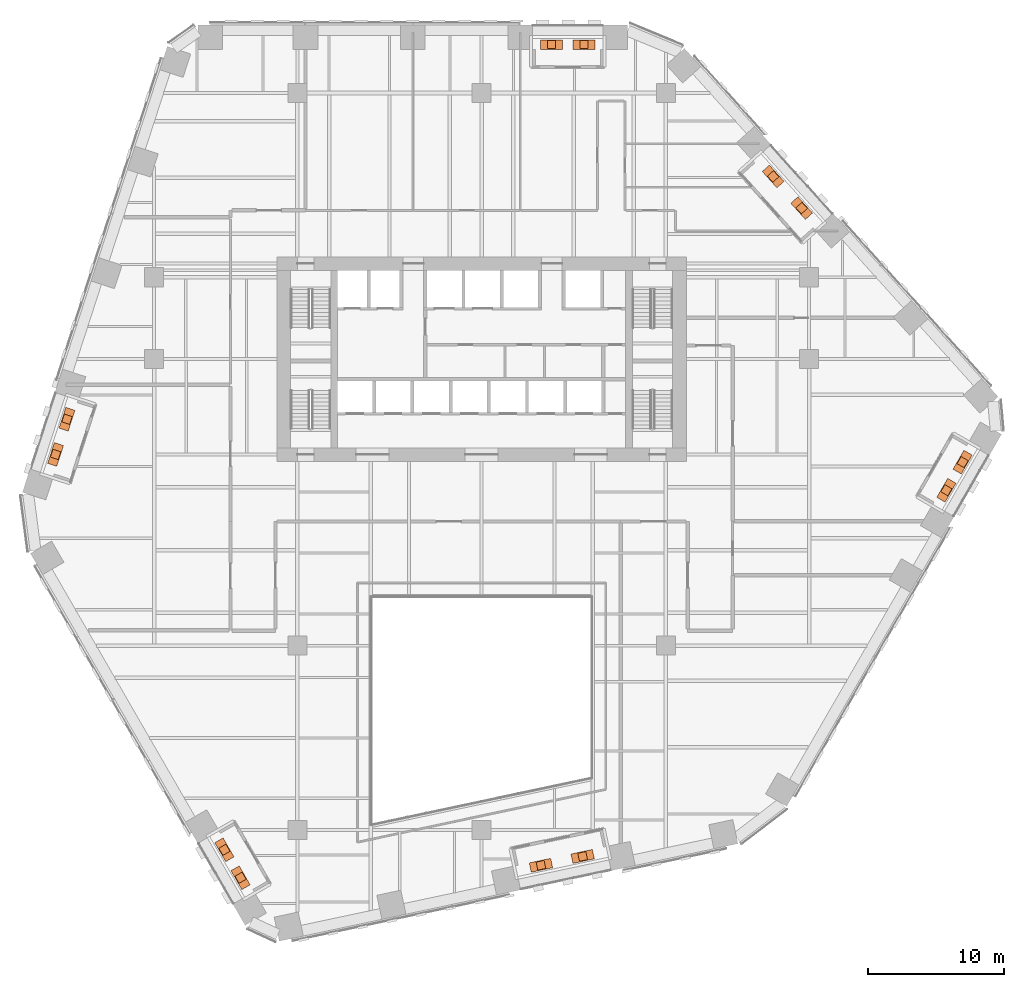
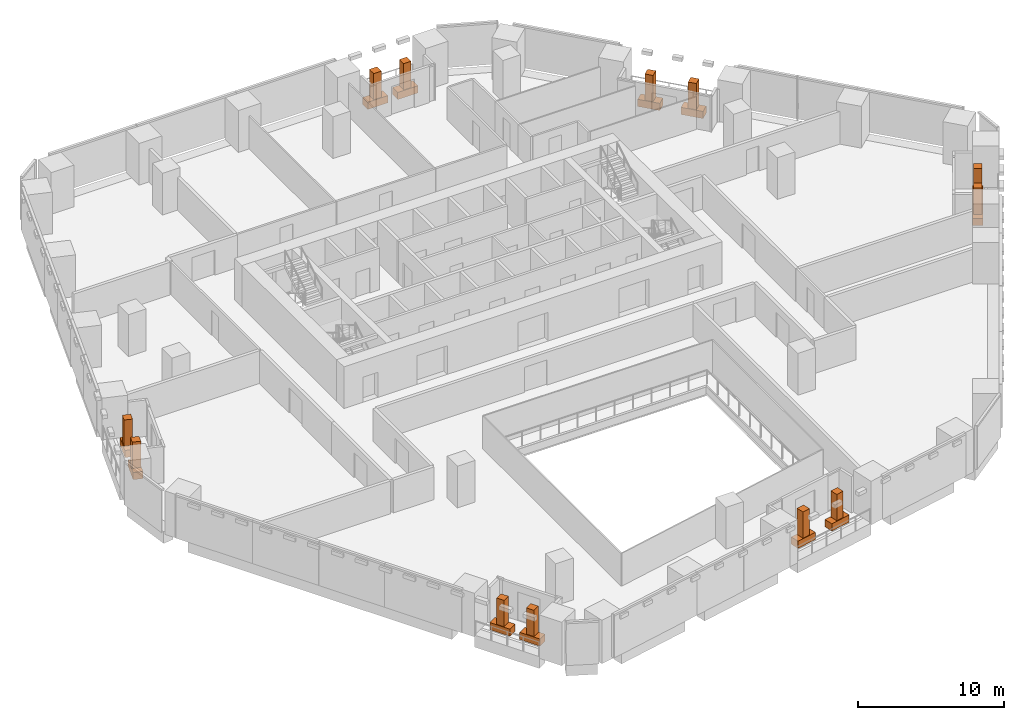
# One storey, part 31 of 31: 12 geographic elements, 12 proxies.
"""IFC4 building model written with IfcOpenShell, lengths in metres."""

from ifc_helpers import new_model, si_unit, direction, frame, origin, origin_2d, place, context, subcontext, project, spatial, rectangle, extrude, material, type_object, element, save


model = new_model("IFC4")

# Units and contexts
model_context = context("Model", 3, precision=1e-05, world=origin(), true_north=direction((0.0, 1.0)))
body_context = subcontext(model_context, "Body", "Model", "MODEL_VIEW")
ifc_project = project(units=[si_unit("LENGTHUNIT", "METRE"), si_unit("AREAUNIT", "SQUARE_METRE"), si_unit("VOLUMEUNIT", "CUBIC_METRE"), si_unit("PLANEANGLEUNIT", "RADIAN"), si_unit("MASSUNIT", "GRAM", prefix="KILO")], contexts=[model_context])

# Site, building, storey
site_placement = place(None, origin())
site = spatial("IfcSite", under=ifc_project, at=site_placement, CompositionType="ELEMENT")
building_placement = place(site_placement, origin())
building = spatial("IfcBuilding", under=site, at=building_placement, Name="Isthmus Gate Tower", CompositionType="ELEMENT")
storey_placement = place(building_placement, frame((0.0, 0.0, 39.64990234375)))
storey = spatial("IfcBuildingStorey", under=building, at=storey_placement, Name="L07", CompositionType="ELEMENT", Elevation=39.64990234375)

# Geographic elements
ifc_material_1 = material(Name="Plant material, broadleaf tree")
geographic_element_type = type_object("IfcGeographicElementType", Name="BROADLEAF TREE 2200 HIGH", PredefinedType="USERDEFINED", material=ifc_material_1)
for number, where, z_axis, x_axis, name in (
    (1, (7.506103515625, 30.550048828125, 0.60009765625), (0.0, 0.0, 1.0), (-1.0, 0.0, 0.0), "TREE"),
    (2, (5.128173828125, 30.550048828125, 0.60009765625), (0.0, 0.0, 1.0), (-1.0, 0.0, 0.0), "TREE"),
    (3, (-30.38232421875, 3.091796875, 0.60009765625), (0.0, 0.0, 1.0), (-0.309016994375, -0.951056516295, 0.0), "TREE"),
    (4, (-31.219482421875, 0.515380859375, 0.60009765625), (0.0, 0.0, 1.0), (-0.309016994375, -0.951056516295, 0.0), "TREE"),
    (5, (-18.846435546875, -28.45703125, 0.60009765625), (0.0, 0.0, 1.0), (0.5, -0.866025403784, 0.0), "TREE"),
    (6, (-17.663330078125, -30.506103515625, 0.60009765625), (0.0, 0.0, 1.0), (0.5, -0.866025403784, 0.0), "TREE"),
    (7, (4.349609375, -29.593017578125, 0.60009765625), (0.0, 0.0, 1.0), (0.978147600734, 0.207911690818, 0.0), "TREE"),
    (8, (7.404541015625, -28.94384765625, 0.60009765625), (0.0, 0.0, 1.0), (0.978147600734, 0.207911690818, 0.0), "TREE"),
    (9, (34.058349609375, -2.109375, 0.60009765625), (0.0, 0.0, 1.0), (0.5, 0.866025403784, 0.0), "TREE"),
    (10, (35.247314453125, -0.0498046875, 0.60009765625), (0.0, 0.0, 1.0), (0.5, 0.866025403784, 0.0), "TREE"),
    (11, (23.45361328125, 18.5634765625, 0.60009765625), (0.0, 0.0, 1.0), (-0.669130606359, 0.743144825477, 0.0), "TREE"),
    (12, (21.36376953125, 20.88427734375, 0.60009765625), (0.0, 0.0, 1.0), (-0.669130606359, 0.743144825477, 0.0), "TREE"),
):
    element("IfcGeographicElement", number, at=place(storey_placement, frame(where, z_axis=z_axis, x_axis=x_axis)), inside=storey, type_object=geographic_element_type, Name=name, ObjectType="TREE", PredefinedType="USERDEFINED", context=body_context, shape_type="SweptSolid", body=[
        extrude(rectangle(XDim=0.60009765625, YDim=0.60009765625, at=origin_2d()), origin(), (0.0, 0.0, 1.0), 2.199951171875),
    ])

# Proxies
ifc_material_2 = material(Name="Concrete f'c 40 MPa", Category="concrete")
building_element_proxy_type = type_object("IfcBuildingElementProxyType", Name="CONCRETE PLANTER 1600 X 700 X 600", PredefinedType="USERDEFINED", material=ifc_material_2)
for number, where, z_axis, x_axis, name in (
    (13, (7.506103515625, 30.550048828125, 0.0), (0.0, 0.0, 1.0), (-1.0, 0.0, 0.0), "PLANTER"),
    (14, (5.128173828125, 30.550048828125, 0.0), (0.0, 0.0, 1.0), (-1.0, 0.0, 0.0), "PLANTER"),
    (15, (-30.38232421875, 3.091796875, 0.0), (0.0, 0.0, 1.0), (-0.309016994375, -0.951056516295, 0.0), "PLANTER"),
    (16, (-31.219482421875, 0.515380859375, 0.0), (0.0, 0.0, 1.0), (-0.309016994375, -0.951056516295, 0.0), "PLANTER"),
    (17, (-18.846435546875, -28.45703125, 0.0), (0.0, 0.0, 1.0), (0.5, -0.866025403784, 0.0), "PLANTER"),
    (18, (-17.663330078125, -30.506103515625, 0.0), (0.0, 0.0, 1.0), (0.5, -0.866025403784, 0.0), "PLANTER"),
    (19, (4.349609375, -29.593017578125, 0.0), (0.0, 0.0, 1.0), (0.978147600734, 0.207911690818, 0.0), "PLANTER"),
    (20, (7.404541015625, -28.94384765625, 0.0), (0.0, 0.0, 1.0), (0.978147600734, 0.207911690818, 0.0), "PLANTER"),
    (21, (34.058349609375, -2.109375, 0.0), (0.0, 0.0, 1.0), (0.5, 0.866025403784, 0.0), "PLANTER"),
    (22, (35.247314453125, -0.0498046875, 0.0), (0.0, 0.0, 1.0), (0.5, 0.866025403784, 0.0), "PLANTER"),
    (23, (23.45361328125, 18.5634765625, 0.0), (0.0, 0.0, 1.0), (-0.669130606359, 0.743144825477, 0.0), "PLANTER"),
    (24, (21.36376953125, 20.88427734375, 0.0), (0.0, 0.0, 1.0), (-0.669130606359, 0.743144825477, 0.0), "PLANTER"),
):
    element("IfcBuildingElementProxy", number, at=place(storey_placement, frame(where, z_axis=z_axis, x_axis=x_axis)), inside=storey, type_object=building_element_proxy_type, Name=name, ObjectType="PLANTER", PredefinedType="USERDEFINED", context=body_context, shape_type="SweptSolid", body=[
        extrude(rectangle(XDim=1.60009765625, YDim=0.699951171875, at=origin_2d()), origin(), (0.0, 0.0, 1.0), 0.60009765625),
    ])

save(model, "model.ifc")
